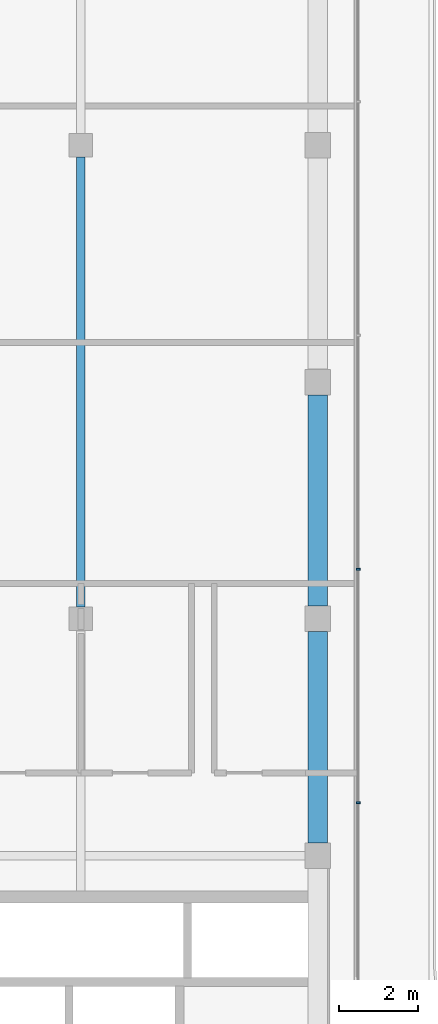
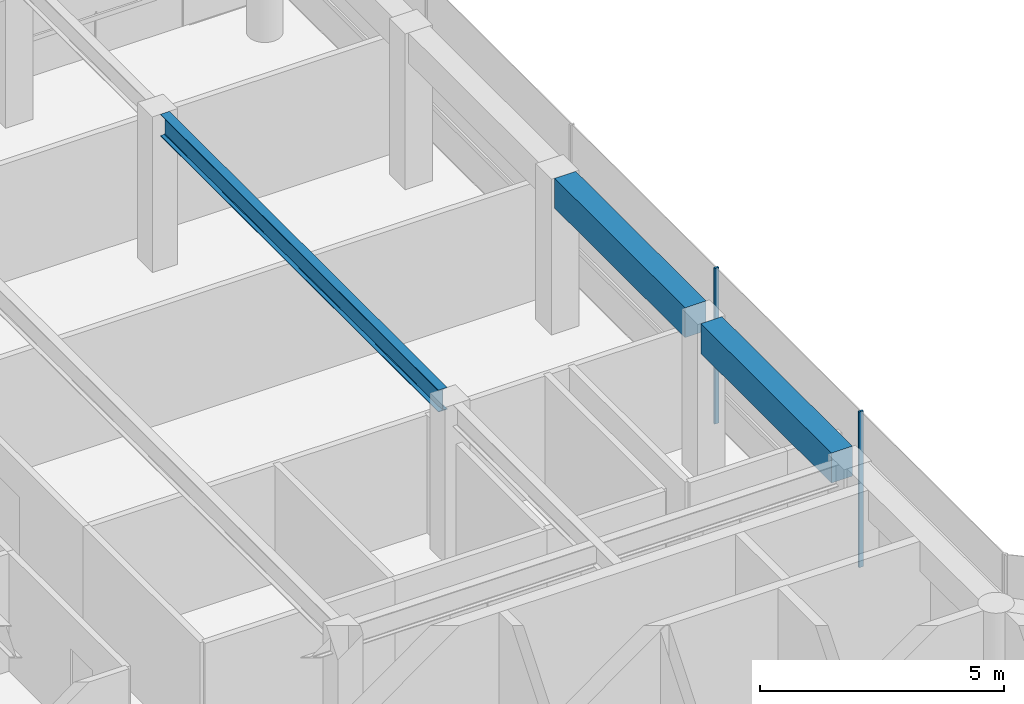
# One storey, part 10 of 20: 3 beams, 2 members, 1 element without a shape of its own.
"""IFC4 building model written with IfcOpenShell, lengths in metres."""

from ifc_helpers import new_model, si_unit, direction, frame, origin, origin_2d, place, context, subcontext, project, spatial, rectangle, i_section, extrude, material, layer, layer_set, material_profile, profile_set, type_object, element, aggregate, save


model = new_model("IFC4")

# Units and contexts
model_context = context("Model", 3, precision=1e-05, world=origin(), true_north=direction((0.0, 1.0)))
body_context = subcontext(model_context, "Body", "Model", "MODEL_VIEW")
ifc_project = project(units=[si_unit("LENGTHUNIT", "METRE"), si_unit("AREAUNIT", "SQUARE_METRE"), si_unit("VOLUMEUNIT", "CUBIC_METRE"), si_unit("PLANEANGLEUNIT", "RADIAN"), si_unit("MASSUNIT", "GRAM", prefix="KILO")], contexts=[model_context])

# Site, building, storey
site_placement = place(None, origin())
site = spatial("IfcSite", under=ifc_project, at=site_placement, CompositionType="ELEMENT")
building_placement = place(site_placement, origin())
building = spatial("IfcBuilding", under=site, at=building_placement, Name="Welwitschia Terrace Campus", CompositionType="ELEMENT")
storey_placement = place(building_placement, frame((0.0, 0.0, 314.60009765625)))
storey = spatial("IfcBuildingStorey", under=building, at=storey_placement, Name="L70", CompositionType="ELEMENT", Elevation=314.60009765625)

# Beam
ifc_material_1 = material(Name="Steel S355", Category="steel")
ifc_material_profile_1 = material_profile(ifc_material_1, i_section(OverallWidth=0.2099609375, OverallDepth=0.550048828125, WebThickness=0.010986328125, FlangeThickness=0.01708984375, FilletRadius=0.02392578125, at=origin_2d()))
ifc_profile_set_1 = profile_set([ifc_material_profile_1], Name="Steel S355")
beam_type_1 = type_object("IfcBeamType", Name="Interior girder IPE 550", PredefinedType="BEAM", material=ifc_profile_set_1)
beam_placement = place(storey_placement, frame((18.0, 32.300537109375, 3.625), z_axis=(0.0, 1.0, 0.0), x_axis=(-1.0, 0.0, 0.0)))
element("IfcBeam", 1, at=beam_placement, inside=storey, type_object=beam_type_1, Name="Girder GB7", PredefinedType="BEAM", context=body_context, shape_type="SweptSolid", body=[
    extrude(i_section(OverallWidth=0.2099609375, OverallDepth=0.550048828125, WebThickness=0.010986328125, FlangeThickness=0.01708984375, FilletRadius=0.02392578125, at=origin_2d()), origin(), (0.0, 0.0, 1.0), 11.39892578125),
])

# Curtain wall, members
ifc_material_2 = material(Name="Bronze anodised aluminium", Category="aluminium")
ifc_layer = layer(ifc_material_2, 0.10009765625)
ifc_layer_set = layer_set([ifc_layer], Name="Bronze anodised aluminium")
curtain_wall_type = type_object("IfcCurtainWallType", Name="Curtain wall CW5 crown 6000", PredefinedType="NOTDEFINED", material=ifc_layer_set)
curtain_wall_placement = place(storey_placement, origin())
curtain_wall = element("IfcCurtainWall", 2, at=curtain_wall_placement, inside=storey, type_object=curtain_wall_type, Name="CW L70.5.0", PredefinedType="NOTDEFINED")
ifc_material_3 = material(Name="Bronze anodised aluminium", Category="aluminium")
ifc_material_profile_2 = material_profile(ifc_material_3, rectangle(XDim=0.10009765625, YDim=0.050048828125, at=origin_2d()))
ifc_profile_set_2 = profile_set([ifc_material_profile_2], Name="Bronze anodised aluminium")
member_type = type_object("IfcMemberType", Name="Mullion 50x100", PredefinedType="MULLION", material=ifc_profile_set_2)
member_1_placement = place(storey_placement, frame((25.030029296875, 27.3359375, 0.0), z_axis=(0.0, 0.0, 1.0), x_axis=(-1.0, 0.0, 0.0)))
member_1 = element("IfcMember", 3, at=member_1_placement, type_object=member_type, Name="Mullion L70.5.0.1", PredefinedType="MULLION", context=body_context, shape_type="SweptSolid", body=[
    extrude(rectangle(XDim=0.10009765625, YDim=0.050048828125, at=origin_2d()), origin(), (0.0, 0.0, 1.0), 3.89990234375),
])
member_2_placement = place(storey_placement, frame((25.030029296875, 33.25927734375, 0.0), z_axis=(0.0, 0.0, 1.0), x_axis=(-1.0, 0.0, 0.0)))
member_2 = element("IfcMember", 4, at=member_2_placement, type_object=member_type, Name="Mullion L70.5.0.2", PredefinedType="MULLION", context=body_context, shape_type="SweptSolid", body=[
    extrude(rectangle(XDim=0.10009765625, YDim=0.050048828125, at=origin_2d()), origin(), (0.0, 0.0, 1.0), 3.89990234375),
])
aggregate(curtain_wall, [member_1, member_2])

# Beams
ifc_material_4 = material(Name="Concrete C40/50", Category="concrete")
ifc_material_profile_3 = material_profile(ifc_material_4, rectangle(XDim=0.5, YDim=0.75, at=origin_2d()))
ifc_profile_set_3 = profile_set([ifc_material_profile_3], Name="Concrete C40/50")
beam_type_2 = type_object("IfcBeamType", Name="Ring spandrel 500x750", PredefinedType="SPANDREL", material=ifc_profile_set_3)
for number, where, z_axis, x_axis, name in (
    (5, (24.0, 26.325439453125, 3.52490234375), (0.0, 1.0, 0.0), (-1.0, 0.0, 0.0), "Spandrel SP5"),
    (6, (24.0, 32.325439453125, 3.52490234375), (0.0, 1.0, 0.0), (-1.0, 0.0, 0.0), "Spandrel SP5"),
):
    element("IfcBeam", number, at=place(storey_placement, frame(where, z_axis=z_axis, x_axis=x_axis)), inside=storey, type_object=beam_type_2, Name=name, PredefinedType="SPANDREL", context=body_context, shape_type="SweptSolid", body=[
        extrude(rectangle(XDim=0.5, YDim=0.75, at=origin_2d()), origin(), (0.0, 0.0, 1.0), 5.34912109375),
    ])

save(model, "model.ifc")
